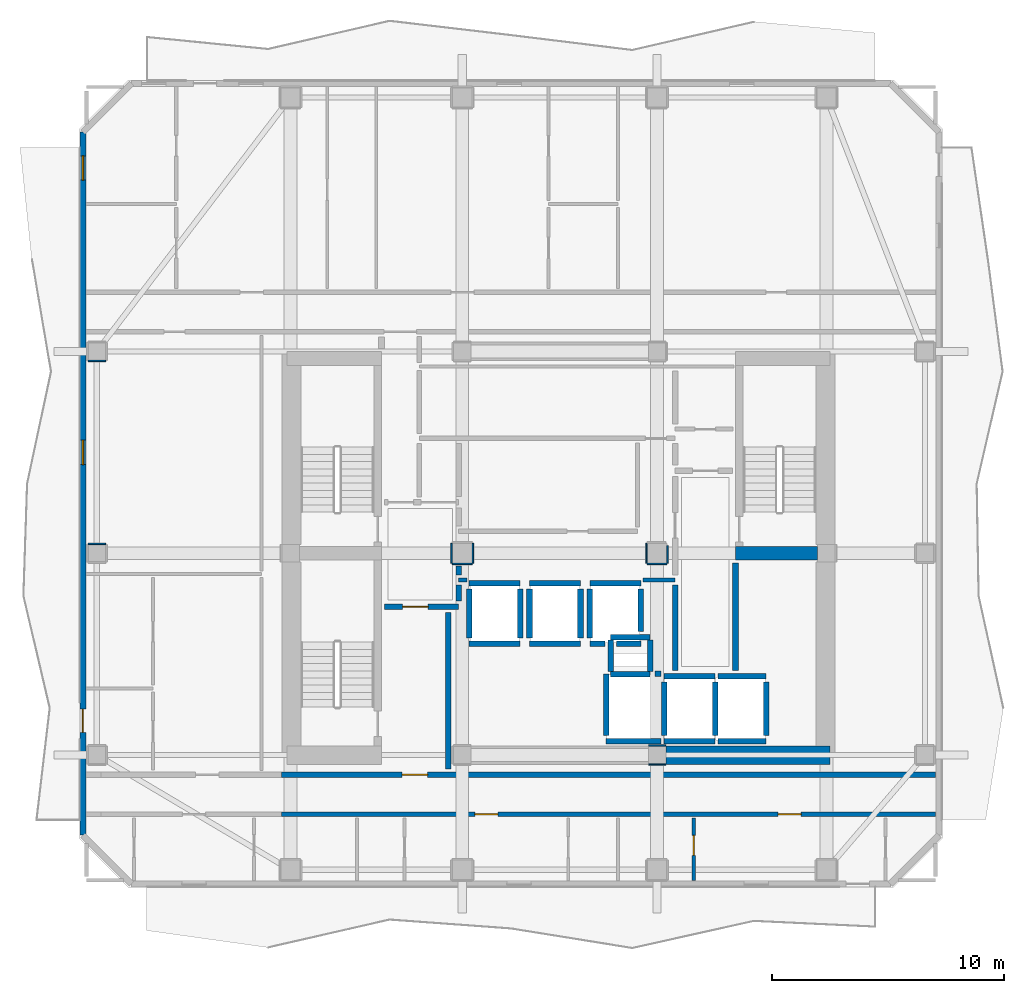
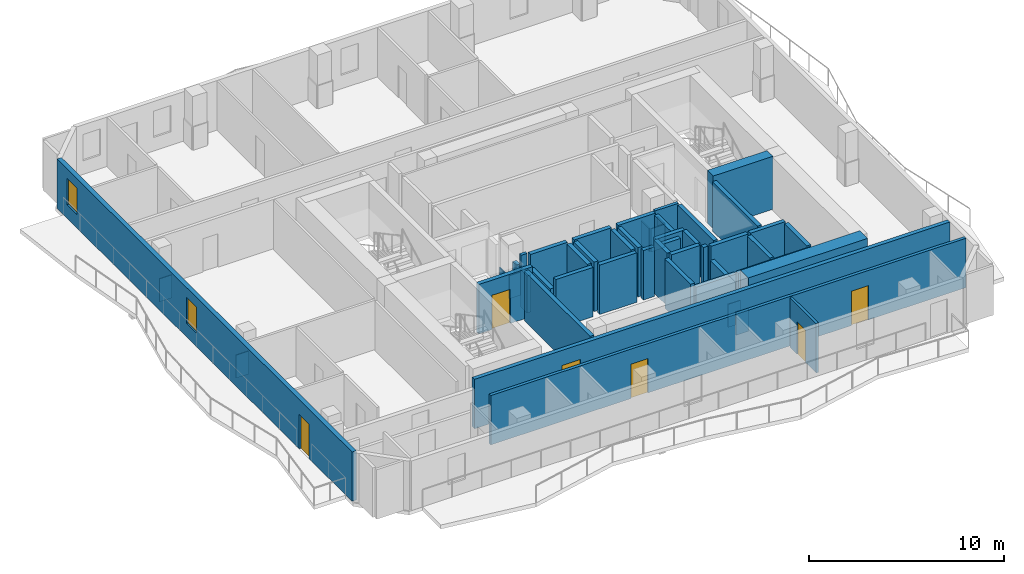
# One storey, part 3 of 10: 51 walls, 6 doors, 2 windows, 8 openings.
"""IFC4 building model written with IfcOpenShell, lengths in metres."""

from ifc_helpers import new_model, si_unit, direction, frame, frame_2d, origin, place, context, subcontext, project, spatial, rectangle, extrude, material, layer, layer_set, type_object, element, fill, save


model = new_model("IFC4")

# Units and contexts
model_context = context("Model", 3, precision=1e-05, world=origin(), true_north=direction((0.0, 1.0)))
body_context = subcontext(model_context, "Body", "Model", "MODEL_VIEW")
ifc_project = project(units=[si_unit("LENGTHUNIT", "METRE"), si_unit("AREAUNIT", "SQUARE_METRE"), si_unit("VOLUMEUNIT", "CUBIC_METRE"), si_unit("PLANEANGLEUNIT", "RADIAN"), si_unit("MASSUNIT", "GRAM", prefix="KILO")], contexts=[model_context])

# Site, building, storey
site_placement = place(None, origin())
site = spatial("IfcSite", under=ifc_project, at=site_placement, CompositionType="ELEMENT")
building_placement = place(site_placement, origin())
building = spatial("IfcBuilding", under=site, at=building_placement, Name="Solanera Arch Residences", CompositionType="ELEMENT")
storey_placement = place(building_placement, frame((0.0, 0.0, 265.56005859375)))
storey = spatial("IfcBuildingStorey", under=building, at=storey_placement, Name="L77", CompositionType="ELEMENT", Elevation=265.56005859375)

# Walls
ifc_material_1 = material(Name="Fire-Rated Gypsum Stud Partition", Category="gypsum")
ifc_layer_1 = layer(ifc_material_1, 0.06005859375)
ifc_layer_set_1 = layer_set([ifc_layer_1], Name="Fire-Rated Gypsum Stud Partition")
wall_type_1 = type_object("IfcWallType", Name="Column Acoustic Furring Wall 60", PredefinedType="PARTITIONING", material=ifc_layer_set_1)
for number, where, z_axis, x_axis, name in (
    (1, (28.8330078125, 21.593017578125, 0.0), (0.0, 0.0, 1.0), (1.0, 0.0, 0.0), "L77 Column Furring 2S"),
    (2, (28.8330078125, 22.406982421875, 0.0), (0.0, 0.0, 1.0), (1.0, 0.0, 0.0), "L77 Column Furring 2N"),
):
    element("IfcWall", number, at=place(storey_placement, frame(where, z_axis=z_axis, x_axis=x_axis)), inside=storey, type_object=wall_type_1, Name=name, PredefinedType="PARTITIONING", context=body_context, shape_type="SweptSolid", body=[
        extrude(rectangle(XDim=0.73388671875, YDim=0.06005859375, at=frame_2d((0.366943359375, 0.0))), origin(), (0.0, 0.0, 1.0), 1.449951171875),
    ])
for number, where, z_axis, x_axis, name in (
    (3, (20.375, 30.242919921875, 0.0), (0.0, 0.0, 1.0), (1.0, 0.0, 0.0), "L77 Column Furring 7S"),
    (4, (20.343017578125, 30.27490234375, 0.0), (0.0, 0.0, 1.0), (0.0, 1.0, 0.0), "L77 Column Furring 7W"),
    (5, (21.257080078125, 30.27490234375, 0.0), (0.0, 0.0, 1.0), (0.0, 1.0, 0.0), "L77 Column Furring 7E"),
    (6, (28.77490234375, 30.242919921875, 0.0), (0.0, 0.0, 1.0), (1.0, 0.0, 0.0), "L77 Column Furring 8S"),
    (7, (28.742919921875, 30.27490234375, 0.0), (0.0, 0.0, 1.0), (0.0, 1.0, 0.0), "L77 Column Furring 8W"),
):
    element("IfcWall", number, at=place(storey_placement, frame(where, z_axis=z_axis, x_axis=x_axis)), inside=storey, type_object=wall_type_1, Name=name, PredefinedType="PARTITIONING", context=body_context, shape_type="SweptSolid", body=[
        extrude(rectangle(XDim=0.85009765625, YDim=0.06005859375, at=frame_2d((0.425048828125, 0.0))), origin(), (0.0, 0.0, 1.0), 1.449951171875),
    ])
wall_1_placement = place(storey_placement, frame((29.656982421875, 30.27490234375, 0.0), z_axis=(0.0, 0.0, 1.0), x_axis=(0.0, 1.0, 0.0)))
element("IfcWall", 8, at=wall_1_placement, inside=storey, type_object=wall_type_1, Name="L77 Column Furring 8E", PredefinedType="PARTITIONING", context=body_context, shape_type="SweptSolid", body=[
    extrude(rectangle(XDim=0.757080078125, YDim=0.06005859375, at=frame_2d((0.37841796875, 0.0))), origin(), (0.0, 0.0, 1.0), 1.449951171875),
])
for number, where, z_axis, x_axis, name in (
    (9, (4.675048828125, 31.10693359375, 0.0), (0.0, 0.0, 1.0), (1.0, 0.0, 0.0), "L77 Column Furring 19N"),
    (10, (4.675048828125, 38.992919921875, 0.0), (0.0, 0.0, 1.0), (1.0, 0.0, 0.0), "L77 Column Furring 21S"),
):
    element("IfcWall", number, at=place(storey_placement, frame(where, z_axis=z_axis, x_axis=x_axis)), inside=storey, type_object=wall_type_1, Name=name, PredefinedType="PARTITIONING", context=body_context, shape_type="SweptSolid", body=[
        extrude(rectangle(XDim=0.75, YDim=0.06005859375, at=frame_2d((0.375, 0.0))), origin(), (0.0, 0.0, 1.0), 1.449951171875),
    ])
ifc_material_2 = material(Name="Concrete C40/50 (f'c = 45 MPa)", Category="concrete")
ifc_layer_2 = layer(ifc_material_2, 0.60009765625)
ifc_layer_set_2 = layer_set([ifc_layer_2], Name="Concrete C40/50 (f'c = 45 MPa)")
wall_type_2 = type_object("IfcWallType", Name="Core Shear Wall CW-600", PredefinedType="SHEAR", material=ifc_layer_set_2)
wall_2_placement = place(storey_placement, frame((32.580078125, 30.699951171875, 0.0), z_axis=(0.0, 0.0, 1.0), x_axis=(1.0, 0.0, 0.0)))
element("IfcWall", 11, at=wall_2_placement, inside=storey, type_object=wall_type_2, Name="L77 East Stair Far-Landing Shear Wall", PredefinedType="SHEAR", context=body_context, shape_type="SweptSolid", body=[
    extrude(rectangle(XDim=3.5400390625, YDim=0.60009765625, at=frame_2d((1.77001953125, 0.0))), origin(), (0.0, 0.0, 1.0), 3.31982421875),
])
ifc_material_3 = material(Name="Concrete C40/50 (f'c = 45 MPa)", Category="concrete")
ifc_layer_3 = layer(ifc_material_3, 0.800048828125)
ifc_layer_set_3 = layer_set([ifc_layer_3], Name="Concrete C40/50 (f'c = 45 MPa)")
wall_type_3 = type_object("IfcWallType", Name="Core Shear Wall CW-800", PredefinedType="SHEAR", material=ifc_layer_set_3)
wall_3_placement = place(storey_placement, frame((29.580078125, 22.0, 0.0), z_axis=(0.0, 0.0, 1.0), x_axis=(1.0, 0.0, 0.0)))
element("IfcWall", 12, at=wall_3_placement, inside=storey, type_object=wall_type_3, Name="L77 South-East Core Shear Wall", PredefinedType="SHEAR", context=body_context, shape_type="SweptSolid", body=[
    extrude(rectangle(XDim=7.079833984375, YDim=0.800048828125, at=frame_2d((3.5400390625, 0.0))), origin(), (0.0, 0.0, 1.0), 3.31982421875),
])

# Wall, openings, doors
ifc_material_4 = material(Name="Autoclaved Aerated Concrete Blockwork", Category="masonry")
ifc_layer_4 = layer(ifc_material_4, 0.179931640625)
ifc_layer_set_4 = layer_set([ifc_layer_4], Name="Autoclaved Aerated Concrete Blockwork")
wall_type_4 = type_object("IfcWallType", Name="Corridor Fire Partition 180", PredefinedType="PARTITIONING", material=ifc_layer_set_4)
wall_4_placement = place(storey_placement, frame((13.011962890625, 19.449951171875, 0.0), z_axis=(0.0, 0.0, 1.0), x_axis=(1.0, 0.0, 0.0)))
wall_4 = element("IfcWall", 13, at=wall_4_placement, inside=storey, type_object=wall_type_4, Name="L77 Interior Partition H7 3", PredefinedType="PARTITIONING", context=body_context, shape_type="SweptSolid", body=[
    extrude(rectangle(XDim=28.200927734375, YDim=0.179931640625, at=frame_2d((14.1005859375, 0.0))), origin(), (0.0, 0.0, 1.0), 3.099853515625),
])
opening_1_placement = place(wall_4_placement, frame((8.3291015625, 0.0, 0.0)))
opening_1 = element("IfcOpeningElement", 14, at=opening_1_placement, cuts=wall_4, Name="Opening DI-01", PredefinedType="OPENING", context=body_context, shape_type="SweptSolid", body=[
    extrude(rectangle(XDim=1.0, YDim=2.14990234375, at=frame_2d((0.5, 1.074951171875))), frame((0.0, 0.10009765625, 0.0), z_axis=(0.0, -1.0, 0.0), x_axis=(1.0, 0.0, 0.0)), (0.0, 0.0, 1.0), 0.1999),
])
opening_2_placement = place(wall_4_placement, frame((21.403076171875, 0.0, 0.0)))
opening_2 = element("IfcOpeningElement", 15, at=opening_2_placement, cuts=wall_4, Name="Opening DI-01", PredefinedType="OPENING", context=body_context, shape_type="SweptSolid", body=[
    extrude(rectangle(XDim=1.0, YDim=2.14990234375, at=frame_2d((0.5, 1.074951171875))), frame((0.0, 0.10009765625, 0.0), z_axis=(0.0, -1.0, 0.0), x_axis=(1.0, 0.0, 0.0)), (0.0, 0.0, 1.0), 0.1999),
])
ifc_material_5 = material(Name="Fire-Rated Architectural Hardwood", Category="wood")
door_type_1 = type_object("IfcDoorType", Name="Unit Entrance Fire Door DI-01", OperationType="NOTDEFINED", PredefinedType="DOOR", material=ifc_material_5)
door_1_placement = place(opening_1_placement, origin())
door_1 = element("IfcDoor", 16, at=door_1_placement, inside=storey, type_object=door_type_1, Name="DR-L77-IN-017", OperationType="SINGLE_SWING_LEFT", OverallHeight=2.14990234375, OverallWidth=1.0, PredefinedType="DOOR", context=body_context, shape_type="SweptSolid", body=[
    extrude(rectangle(XDim=1.0, YDim=2.14990234375, at=frame_2d((0.5, 1.074951171875))), frame((0.0, 0.02490234375, 0.0), z_axis=(0.0, -1.0, 0.0), x_axis=(1.0, 0.0, 0.0)), (0.0, 0.0, 1.0), 0.050048828125),
])
fill(opening_1, door_1)
door_2_placement = place(opening_2_placement, origin())
door_2 = element("IfcDoor", 17, at=door_2_placement, inside=storey, type_object=door_type_1, Name="DR-L77-IN-020", OperationType="SINGLE_SWING_RIGHT", OverallHeight=2.14990234375, OverallWidth=1.0, PredefinedType="DOOR", context=body_context, shape_type="SweptSolid", body=[
    extrude(rectangle(XDim=1.0, YDim=2.14990234375, at=frame_2d((0.5, 1.074951171875))), frame((0.0, 0.02490234375, 0.0), z_axis=(0.0, -1.0, 0.0), x_axis=(1.0, 0.0, 0.0)), (0.0, 0.0, 1.0), 0.050048828125),
])
fill(opening_2, door_2)

# Walls
wall_5_placement = place(storey_placement, frame((20.64990234375, 29.550048828125, 0.0), z_axis=(0.0, 0.0, 1.0), x_axis=(1.0, 0.0, 0.0)))
element("IfcWall", 18, at=wall_5_placement, inside=storey, type_object=wall_type_4, Name="L77 Interior Partition H8 1", PredefinedType="PARTITIONING", context=body_context, shape_type="SweptSolid", body=[
    extrude(rectangle(XDim=0.357177734375, YDim=0.179931640625, at=frame_2d((0.1787109375, 0.0))), origin(), (0.0, 0.0, 1.0), 3.099853515625),
])
wall_6_placement = place(storey_placement, frame((28.593017578125, 29.550048828125, 0.0), z_axis=(0.0, 0.0, 1.0), x_axis=(1.0, 0.0, 0.0)))
element("IfcWall", 19, at=wall_6_placement, inside=storey, type_object=wall_type_4, Name="L77 Interior Partition H8 2", PredefinedType="PARTITIONING", context=body_context, shape_type="SweptSolid", body=[
    extrude(rectangle(XDim=1.382080078125, YDim=0.179931640625, at=frame_2d((0.69091796875, 0.0))), origin(), (0.0, 0.0, 1.0), 3.099853515625),
])

# Wall, openings, door, windows
ifc_material_6 = material(Name="Precast Concrete C35/45", Category="concrete")
ifc_layer_5 = layer(ifc_material_6, 0.260009765625)
ifc_layer_set_5 = layer_set([ifc_layer_5], Name="Precast Concrete C35/45")
wall_type_5 = type_object("IfcWallType", Name="Exterior Wall Precast Masonry-Frame 260", PredefinedType="STANDARD", material=ifc_layer_set_5)
wall_7_placement = place(storey_placement, frame((4.445068359375, 18.544921875, 0.0), z_axis=(0.0, 0.0, 1.0), x_axis=(0.0, 1.0, 0.0)))
wall_7 = element("IfcWall", 20, at=wall_7_placement, inside=storey, type_object=wall_type_5, Name="L77 Tower Exterior Precast Masonry-Frame Wall W", PredefinedType="STANDARD", context=body_context, shape_type="SweptSolid", body=[
    extrude(rectangle(XDim=30.31005859375, YDim=0.260009765625, at=frame_2d((15.155029296875, 0.0))), origin(), (0.0, 0.0, 1.0), 3.099853515625),
])
opening_3_placement = place(wall_7_placement, frame((4.43408203125, 0.0, 0.0)))
opening_3 = element("IfcOpeningElement", 21, at=opening_3_placement, cuts=wall_7, Name="Opening DB-01", PredefinedType="OPENING", context=body_context, shape_type="SweptSolid", body=[
    extrude(rectangle(XDim=1.0, YDim=2.14990234375, at=frame_2d((0.5, 1.074951171875))), frame((0.0, 0.139892578125, 0.0), z_axis=(0.0, -1.0, 0.0), x_axis=(1.0, 0.0, 0.0)), (0.0, 0.0, 1.0), 0.28),
])
opening_4_placement = place(wall_7_placement, frame((28.240966796875, 0.0, 0.85009765625)))
opening_4 = element("IfcOpeningElement", 22, at=opening_4_placement, cuts=wall_7, Name="Opening W-07", PredefinedType="OPENING", context=body_context, shape_type="SweptSolid", body=[
    extrude(rectangle(XDim=1.050048828125, YDim=1.64990234375, at=frame_2d((0.52490234375, 0.824951171875))), frame((0.0, 0.139892578125, 0.0), z_axis=(0.0, -1.0, 0.0), x_axis=(1.0, 0.0, 0.0)), (0.0, 0.0, 1.0), 0.28),
])
opening_5_placement = place(wall_7_placement, frame((15.97998046875, 0.0, 0.85009765625)))
opening_5 = element("IfcOpeningElement", 23, at=opening_5_placement, cuts=wall_7, Name="Opening W-07", PredefinedType="OPENING", context=body_context, shape_type="SweptSolid", body=[
    extrude(rectangle(XDim=1.050048828125, YDim=1.64990234375, at=frame_2d((0.52490234375, 0.824951171875))), frame((0.0, 0.139892578125, 0.0), z_axis=(0.0, -1.0, 0.0), x_axis=(1.0, 0.0, 0.0)), (0.0, 0.0, 1.0), 0.28),
])
ifc_material_7 = material(Name="Anodised Aluminium Alloy 6063-T6", Category="aluminium")
door_type_2 = type_object("IfcDoorType", Name="Glazed Balcony Swing Door DB-01", OperationType="NOTDEFINED", PredefinedType="DOOR", material=ifc_material_7)
door_3_placement = place(opening_3_placement, origin())
door_3 = element("IfcDoor", 24, at=door_3_placement, inside=storey, type_object=door_type_2, Name="DR-L77-OUT-04", OperationType="SINGLE_SWING_RIGHT", OverallHeight=2.14990234375, OverallWidth=1.0, PredefinedType="DOOR", context=body_context, shape_type="SweptSolid", body=[
    extrude(rectangle(XDim=1.0, YDim=2.14990234375, at=frame_2d((0.5, 1.074951171875))), frame((0.0, 0.02490234375, 0.0), z_axis=(0.0, -1.0, 0.0), x_axis=(1.0, 0.0, 0.0)), (0.0, 0.0, 1.0), 0.050048828125),
])
fill(opening_3, door_3)
ifc_material_8 = material(Name="Double Glazed Low-E Laminated Glass", Category="glass")
window_type = type_object("IfcWindowType", Name="Punched Window W-07", PartitioningType="SINGLE_PANEL", PredefinedType="WINDOW", material=ifc_material_8)
window_1_placement = place(opening_4_placement, origin())
window_1 = element("IfcWindow", 25, at=window_1_placement, inside=storey, type_object=window_type, Name="L77 7704-BR1 Punched Window", OverallHeight=1.64990234375, OverallWidth=1.050048828125, PartitioningType="SINGLE_PANEL", PredefinedType="WINDOW", context=body_context, shape_type="SweptSolid", body=[
    extrude(rectangle(XDim=1.050048828125, YDim=1.64990234375, at=frame_2d((0.52490234375, 0.824951171875))), frame((0.0, 0.030029296875, 0.0), z_axis=(0.0, -1.0, 0.0), x_axis=(1.0, 0.0, 0.0)), (0.0, 0.0, 1.0), 0.06005859375),
])
fill(opening_4, window_1)
window_2_placement = place(opening_5_placement, origin())
window_2 = element("IfcWindow", 26, at=window_2_placement, inside=storey, type_object=window_type, Name="L77 AMN-STDW Punched Window", OverallHeight=1.64990234375, OverallWidth=1.050048828125, PartitioningType="SINGLE_PANEL", PredefinedType="WINDOW", context=body_context, shape_type="SweptSolid", body=[
    extrude(rectangle(XDim=1.050048828125, YDim=1.64990234375, at=frame_2d((0.52490234375, 0.824951171875))), frame((0.0, 0.030029296875, 0.0), z_axis=(0.0, -1.0, 0.0), x_axis=(1.0, 0.0, 0.0)), (0.0, 0.0, 1.0), 0.06005859375),
])
fill(opening_5, window_2)

# Walls
ifc_material_9 = material(Name="Concrete C40/50 (f'c = 45 MPa)", Category="concrete")
ifc_layer_6 = layer(ifc_material_9, 0.239990234375)
ifc_layer_set_6 = layer_set([ifc_layer_6], Name="Concrete C40/50 (f'c = 45 MPa)")
wall_type_6 = type_object("IfcWallType", Name="Ramp Bearing Shear Wall RW-240", PredefinedType="SHEAR", material=ifc_layer_set_6)
for number, where, z_axis, x_axis, name in (
    (27, (27.199951171875, 25.47998046875, 0.0), (0.0, 0.0, 1.0), (1.0, 0.0, 0.0), "L77 Core MEP Riser South Shaft Wall"),
    (28, (27.199951171875, 27.080078125, 0.0), (0.0, 0.0, 1.0), (1.0, 0.0, 0.0), "L77 Core MEP Riser North Shaft Wall"),
):
    element("IfcWall", number, at=place(storey_placement, frame(where, z_axis=z_axis, x_axis=x_axis)), inside=storey, type_object=wall_type_6, Name=name, PredefinedType="SHEAR", context=body_context, shape_type="SweptSolid", body=[
        extrude(rectangle(XDim=1.699951171875, YDim=0.239990234375, at=frame_2d((0.85009765625, 0.0))), origin(), (0.0, 0.0, 1.0), 3.31982421875),
    ])
for number, where, z_axis, x_axis, name in (
    (29, (27.199951171875, 25.60009765625, 0.0), (0.0, 0.0, 1.0), (0.0, 1.0, 0.0), "L77 Core MEP Riser West Shaft Wall"),
    (30, (28.89990234375, 25.60009765625, 0.0), (0.0, 0.0, 1.0), (0.0, 1.0, 0.0), "L77 Core MEP Riser East Shaft Wall"),
):
    element("IfcWall", number, at=place(storey_placement, frame(where, z_axis=z_axis, x_axis=x_axis)), inside=storey, type_object=wall_type_6, Name=name, PredefinedType="SHEAR", context=body_context, shape_type="SweptSolid", body=[
        extrude(rectangle(XDim=1.35986328125, YDim=0.239990234375, at=frame_2d((0.679931640625, 0.0))), origin(), (0.0, 0.0, 1.0), 3.31982421875),
    ])
ifc_material_10 = material(Name="Autoclaved Aerated Concrete Blockwork", Category="masonry")
ifc_layer_7 = layer(ifc_material_10, 0.239990234375)
ifc_layer_set_7 = layer_set([ifc_layer_7], Name="Autoclaved Aerated Concrete Blockwork")
wall_type_7 = type_object("IfcWallType", Name="Shaft Wall Fire-Rated 240", PredefinedType="PARTITIONING", material=ifc_layer_set_7)
for number, where, z_axis, x_axis, name in (
    (31, (21.10009765625, 26.800048828125, 0.0), (0.0, 0.0, 1.0), (1.0, 0.0, 0.0), "L77 Lift PL-H1 Hoistway Wall S"),
    (32, (21.10009765625, 29.39990234375, 0.0), (0.0, 0.0, 1.0), (1.0, 0.0, 0.0), "L77 Lift PL-H1 Hoistway Wall N"),
):
    element("IfcWall", number, at=place(storey_placement, frame(where, z_axis=z_axis, x_axis=x_axis)), inside=storey, type_object=wall_type_7, Name=name, PredefinedType="PARTITIONING", context=body_context, shape_type="SweptSolid", body=[
        extrude(rectangle(XDim=2.199951171875, YDim=0.239990234375, at=frame_2d((1.10009765625, 0.0))), origin(), (0.0, 0.0, 1.0), 3.099853515625),
    ])
wall_8_placement = place(storey_placement, frame((21.10009765625, 27.048095703125, 0.0), z_axis=(0.0, 0.0, 1.0), x_axis=(0.0, 1.0, 0.0)))
element("IfcWall", 33, at=wall_8_placement, inside=storey, type_object=wall_type_7, Name="L77 Lift PL-H1 Hoistway Wall W", PredefinedType="PARTITIONING", context=body_context, shape_type="SweptSolid", body=[
    extrude(rectangle(XDim=2.10400390625, YDim=0.239990234375, at=frame_2d((1.052001953125, 0.0))), origin(), (0.0, 0.0, 1.0), 2.3349609375),
])
wall_9_placement = place(storey_placement, frame((23.300048828125, 27.048095703125, 0.0), z_axis=(0.0, 0.0, 1.0), x_axis=(0.0, 1.0, 0.0)))
element("IfcWall", 34, at=wall_9_placement, inside=storey, type_object=wall_type_7, Name="L77 Lift PL-H1 Hoistway Wall E", PredefinedType="PARTITIONING", context=body_context, shape_type="SweptSolid", body=[
    extrude(rectangle(XDim=2.10400390625, YDim=0.239990234375, at=frame_2d((1.052001953125, 0.0))), origin(), (0.0, 0.0, 1.0), 3.099853515625),
])
for number, where, z_axis, x_axis, name in (
    (35, (23.699951171875, 26.800048828125, 0.0), (0.0, 0.0, 1.0), (1.0, 0.0, 0.0), "L77 Lift PL-H2 Hoistway Wall S"),
    (36, (23.699951171875, 29.39990234375, 0.0), (0.0, 0.0, 1.0), (1.0, 0.0, 0.0), "L77 Lift PL-H2 Hoistway Wall N"),
):
    element("IfcWall", number, at=place(storey_placement, frame(where, z_axis=z_axis, x_axis=x_axis)), inside=storey, type_object=wall_type_7, Name=name, PredefinedType="PARTITIONING", context=body_context, shape_type="SweptSolid", body=[
        extrude(rectangle(XDim=2.199951171875, YDim=0.239990234375, at=frame_2d((1.10009765625, 0.0))), origin(), (0.0, 0.0, 1.0), 3.099853515625),
    ])
for number, where, z_axis, x_axis, name in (
    (37, (23.699951171875, 27.048095703125, 0.0), (0.0, 0.0, 1.0), (0.0, 1.0, 0.0), "L77 Lift PL-H2 Hoistway Wall W"),
    (38, (25.89990234375, 27.048095703125, 0.0), (0.0, 0.0, 1.0), (0.0, 1.0, 0.0), "L77 Lift PL-H2 Hoistway Wall E"),
):
    element("IfcWall", number, at=place(storey_placement, frame(where, z_axis=z_axis, x_axis=x_axis)), inside=storey, type_object=wall_type_7, Name=name, PredefinedType="PARTITIONING", context=body_context, shape_type="SweptSolid", body=[
        extrude(rectangle(XDim=2.10400390625, YDim=0.239990234375, at=frame_2d((1.052001953125, 0.0))), origin(), (0.0, 0.0, 1.0), 3.099853515625),
    ])
wall_10_placement = place(storey_placement, frame((26.300048828125, 26.800048828125, 0.0), z_axis=(0.0, 0.0, 1.0), x_axis=(1.0, 0.0, 0.0)))
element("IfcWall", 39, at=wall_10_placement, inside=storey, type_object=wall_type_7, Name="L77 Lift PL-H3 Hoistway Wall S 1", PredefinedType="PARTITIONING", context=body_context, shape_type="SweptSolid", body=[
    extrude(rectangle(XDim=0.64990234375, YDim=0.239990234375, at=frame_2d((0.324951171875, 0.0))), origin(), (0.0, 0.0, 1.0), 3.099853515625),
])
wall_11_placement = place(storey_placement, frame((27.449951171875, 26.800048828125, 0.0), z_axis=(0.0, 0.0, 1.0), x_axis=(1.0, 0.0, 0.0)))
element("IfcWall", 40, at=wall_11_placement, inside=storey, type_object=wall_type_7, Name="L77 Lift PL-H3 Hoistway Wall S 2", PredefinedType="PARTITIONING", context=body_context, shape_type="SweptSolid", body=[
    extrude(rectangle(XDim=1.050048828125, YDim=0.239990234375, at=frame_2d((0.52490234375, 0.0))), origin(), (0.0, 0.0, 1.0), 3.099853515625),
])
wall_12_placement = place(storey_placement, frame((26.300048828125, 29.39990234375, 0.0), z_axis=(0.0, 0.0, 1.0), x_axis=(1.0, 0.0, 0.0)))
element("IfcWall", 41, at=wall_12_placement, inside=storey, type_object=wall_type_7, Name="L77 Lift PL-H3 Hoistway Wall N", PredefinedType="PARTITIONING", context=body_context, shape_type="SweptSolid", body=[
    extrude(rectangle(XDim=2.199951171875, YDim=0.239990234375, at=frame_2d((1.10009765625, 0.0))), origin(), (0.0, 0.0, 1.0), 3.099853515625),
])
wall_13_placement = place(storey_placement, frame((26.300048828125, 27.048095703125, 0.0), z_axis=(0.0, 0.0, 1.0), x_axis=(0.0, 1.0, 0.0)))
element("IfcWall", 42, at=wall_13_placement, inside=storey, type_object=wall_type_7, Name="L77 Lift PL-H3 Hoistway Wall W", PredefinedType="PARTITIONING", context=body_context, shape_type="SweptSolid", body=[
    extrude(rectangle(XDim=2.10400390625, YDim=0.239990234375, at=frame_2d((1.052001953125, 0.0))), origin(), (0.0, 0.0, 1.0), 3.099853515625),
])
wall_14_placement = place(storey_placement, frame((28.5, 27.330078125, 0.0), z_axis=(0.0, 0.0, 1.0), x_axis=(0.0, 1.0, 0.0)))
element("IfcWall", 43, at=wall_14_placement, inside=storey, type_object=wall_type_7, Name="L77 Lift PL-H3 Hoistway Wall E", PredefinedType="PARTITIONING", context=body_context, shape_type="SweptSolid", body=[
    extrude(rectangle(XDim=1.822021484375, YDim=0.239990234375, at=frame_2d((0.9111328125, 0.0))), origin(), (0.0, 0.0, 1.0), 3.099853515625),
])
for number, where, z_axis, x_axis, name in (
    (44, (29.5, 22.60009765625, 0.0), (0.0, 0.0, 1.0), (1.0, 0.0, 0.0), "L77 Lift FFL-1 Hoistway Wall S"),
    (45, (29.5, 25.39990234375, 0.0), (0.0, 0.0, 1.0), (1.0, 0.0, 0.0), "L77 Lift FFL-1 Hoistway Wall N"),
):
    element("IfcWall", number, at=place(storey_placement, frame(where, z_axis=z_axis, x_axis=x_axis)), inside=storey, type_object=wall_type_7, Name=name, PredefinedType="PARTITIONING", context=body_context, shape_type="SweptSolid", body=[
        extrude(rectangle(XDim=2.199951171875, YDim=0.239990234375, at=frame_2d((1.10009765625, 0.0))), origin(), (0.0, 0.0, 1.0), 3.099853515625),
    ])
wall_15_placement = place(storey_placement, frame((29.5, 22.847900390625, 0.0), z_axis=(0.0, 0.0, 1.0), x_axis=(0.0, 1.0, 0.0)))
element("IfcWall", 46, at=wall_15_placement, inside=storey, type_object=wall_type_7, Name="L77 Lift FFL-1 Hoistway Wall W", PredefinedType="PARTITIONING", context=body_context, shape_type="SweptSolid", body=[
    extrude(rectangle(XDim=2.30419921875, YDim=0.239990234375, at=frame_2d((1.152099609375, 0.0))), origin(), (0.0, 0.0, 1.0), 2.3349609375),
])
wall_16_placement = place(storey_placement, frame((31.699951171875, 22.847900390625, 0.0), z_axis=(0.0, 0.0, 1.0), x_axis=(0.0, 1.0, 0.0)))
element("IfcWall", 47, at=wall_16_placement, inside=storey, type_object=wall_type_7, Name="L77 Lift FFL-1 Hoistway Wall E", PredefinedType="PARTITIONING", context=body_context, shape_type="SweptSolid", body=[
    extrude(rectangle(XDim=2.30419921875, YDim=0.239990234375, at=frame_2d((1.152099609375, 0.0))), origin(), (0.0, 0.0, 1.0), 3.099853515625),
])
for number, where, z_axis, x_axis, name in (
    (48, (31.827880859375, 22.60009765625, 0.0), (0.0, 0.0, 1.0), (1.0, 0.0, 0.0), "L77 Lift FFL-2 Hoistway Wall S"),
    (49, (31.827880859375, 25.39990234375, 0.0), (0.0, 0.0, 1.0), (1.0, 0.0, 0.0), "L77 Lift FFL-2 Hoistway Wall N"),
):
    element("IfcWall", number, at=place(storey_placement, frame(where, z_axis=z_axis, x_axis=x_axis)), inside=storey, type_object=wall_type_7, Name=name, PredefinedType="PARTITIONING", context=body_context, shape_type="SweptSolid", body=[
        extrude(rectangle(XDim=2.072021484375, YDim=0.239990234375, at=frame_2d((1.0361328125, 0.0))), origin(), (0.0, 0.0, 1.0), 3.099853515625),
    ])
wall_17_placement = place(storey_placement, frame((33.89990234375, 22.847900390625, 0.0), z_axis=(0.0, 0.0, 1.0), x_axis=(0.0, 1.0, 0.0)))
element("IfcWall", 50, at=wall_17_placement, inside=storey, type_object=wall_type_7, Name="L77 Lift FFL-2 Hoistway Wall E", PredefinedType="PARTITIONING", context=body_context, shape_type="SweptSolid", body=[
    extrude(rectangle(XDim=2.30419921875, YDim=0.239990234375, at=frame_2d((1.152099609375, 0.0))), origin(), (0.0, 0.0, 1.0), 3.099853515625),
])
wall_18_placement = place(storey_placement, frame((27.0, 22.60009765625, 0.0), z_axis=(0.0, 0.0, 1.0), x_axis=(1.0, 0.0, 0.0)))
element("IfcWall", 51, at=wall_18_placement, inside=storey, type_object=wall_type_7, Name="L77 Lift SVL-1 Hoistway Wall S", PredefinedType="PARTITIONING", context=body_context, shape_type="SweptSolid", body=[
    extrude(rectangle(XDim=2.3720703125, YDim=0.239990234375, at=frame_2d((1.18603515625, 0.0))), origin(), (0.0, 0.0, 1.0), 3.099853515625),
])
wall_19_placement = place(storey_placement, frame((29.10302734375, 25.5, 0.0), z_axis=(0.0, 0.0, 1.0), x_axis=(1.0, 0.0, 0.0)))
element("IfcWall", 52, at=wall_19_placement, inside=storey, type_object=wall_type_7, Name="L77 Lift SVL-1 Hoistway Wall N", PredefinedType="PARTITIONING", context=body_context, shape_type="SweptSolid", body=[
    extrude(rectangle(XDim=0.26904296875, YDim=0.239990234375, at=frame_2d((0.134521484375, 0.0))), origin(), (0.0, 0.0, 1.0), 3.099853515625),
])
wall_20_placement = place(storey_placement, frame((27.0, 22.847900390625, 0.0), z_axis=(0.0, 0.0, 1.0), x_axis=(0.0, 1.0, 0.0)))
element("IfcWall", 53, at=wall_20_placement, inside=storey, type_object=wall_type_7, Name="L77 Lift SVL-1 Hoistway Wall W", PredefinedType="PARTITIONING", context=body_context, shape_type="SweptSolid", body=[
    extrude(rectangle(XDim=2.650146484375, YDim=0.239990234375, at=frame_2d((1.3251953125, 0.0))), origin(), (0.0, 0.0, 1.0), 3.099853515625),
])

# Wall, opening, door
wall_21_placement = place(storey_placement, frame((13.011962890625, 21.14990234375, 0.0), z_axis=(0.0, 0.0, 1.0), x_axis=(1.0, 0.0, 0.0)))
wall_21 = element("IfcWall", 54, at=wall_21_placement, inside=storey, type_object=wall_type_7, Name="L77 Interior Partition H1 3", PredefinedType="PARTITIONING", context=body_context, shape_type="SweptSolid", body=[
    extrude(rectangle(XDim=28.200927734375, YDim=0.239990234375, at=frame_2d((14.1005859375, 0.0))), origin(), (0.0, 0.0, 1.0), 3.099853515625),
])
opening_6_placement = place(wall_21_placement, frame((5.197998046875, 0.0, 0.0)))
opening_6 = element("IfcOpeningElement", 55, at=opening_6_placement, cuts=wall_21, Name="Opening DF-02", PredefinedType="OPENING", context=body_context, shape_type="SweptSolid", body=[
    extrude(rectangle(XDim=1.10009765625, YDim=2.14990234375, at=frame_2d((0.550048828125, 1.074951171875))), frame((0.0, 0.1298828125, 0.0), z_axis=(0.0, -1.0, 0.0), x_axis=(1.0, 0.0, 0.0)), (0.0, 0.0, 1.0), 0.26),
])
ifc_material_11 = material(Name="Fire-Rated Architectural Hardwood", Category="wood")
door_type_3 = type_object("IfcDoorType", Name="Firefighting Lobby Fire Door DF-02", OperationType="NOTDEFINED", PredefinedType="DOOR", material=ifc_material_11)
door_4_placement = place(opening_6_placement, origin())
door_4 = element("IfcDoor", 56, at=door_4_placement, inside=storey, type_object=door_type_3, Name="DR-L77-IN-008", OperationType="SINGLE_SWING_RIGHT", OverallHeight=2.14990234375, OverallWidth=1.10009765625, PredefinedType="DOOR", context=body_context, shape_type="SweptSolid", body=[
    extrude(rectangle(XDim=1.10009765625, YDim=2.14990234375, at=frame_2d((0.550048828125, 1.074951171875))), frame((0.0, 0.02490234375, 0.0), z_axis=(0.0, -1.0, 0.0), x_axis=(1.0, 0.0, 0.0)), (0.0, 0.0, 1.0), 0.050048828125),
])
fill(opening_6, door_4)

wall_22_placement = place(storey_placement, frame((17.449951171875, 28.39990234375, 0.0), z_axis=(0.0, 0.0, 1.0), x_axis=(1.0, 0.0, 0.0)))
wall_22 = element("IfcWall", 57, at=wall_22_placement, inside=storey, type_object=wall_type_7, Name="L77 Interior Partition H3", PredefinedType="PARTITIONING", context=body_context, shape_type="SweptSolid", body=[
    extrude(rectangle(XDim=3.199951171875, YDim=0.239990234375, at=frame_2d((1.60009765625, 0.0))), origin(), (0.0, 0.0, 1.0), 3.099853515625),
])
opening_7_placement = place(wall_22_placement, frame((0.783935546875, 0.0, 0.0)))
opening_7 = element("IfcOpeningElement", 58, at=opening_7_placement, cuts=wall_22, Name="Opening DF-02", PredefinedType="OPENING", context=body_context, shape_type="SweptSolid", body=[
    extrude(rectangle(XDim=1.10009765625, YDim=2.14990234375, at=frame_2d((0.550048828125, 1.074951171875))), frame((0.0, 0.1298828125, 0.0), z_axis=(0.0, -1.0, 0.0), x_axis=(1.0, 0.0, 0.0)), (0.0, 0.0, 1.0), 0.26),
])
door_5_placement = place(opening_7_placement, origin())
door_5 = element("IfcDoor", 59, at=door_5_placement, inside=storey, type_object=door_type_3, Name="DR-L77-IN-004", OperationType="SINGLE_SWING_RIGHT", OverallHeight=2.14990234375, OverallWidth=1.10009765625, PredefinedType="DOOR", context=body_context, shape_type="SweptSolid", body=[
    extrude(rectangle(XDim=1.10009765625, YDim=2.14990234375, at=frame_2d((0.550048828125, 1.074951171875))), frame((0.0, 0.02490234375, 0.0), z_axis=(0.0, -1.0, 0.0), x_axis=(1.0, 0.0, 0.0)), (0.0, 0.0, 1.0), 0.050048828125),
])
fill(opening_7, door_5)

# Walls
wall_23_placement = place(storey_placement, frame((20.199951171875, 21.39794921875, 0.0), z_axis=(0.0, 0.0, 1.0), x_axis=(0.0, 1.0, 0.0)))
element("IfcWall", 60, at=wall_23_placement, inside=storey, type_object=wall_type_7, Name="L77 Interior Partition V2", PredefinedType="PARTITIONING", context=body_context, shape_type="SweptSolid", body=[
    extrude(rectangle(XDim=6.754150390625, YDim=0.239990234375, at=frame_2d((3.376953125, 0.0))), origin(), (0.0, 0.0, 1.0), 3.099853515625),
])
wall_24_placement = place(storey_placement, frame((20.64990234375, 28.64794921875, 0.0), z_axis=(0.0, 0.0, 1.0), x_axis=(0.0, 1.0, 0.0)))
element("IfcWall", 61, at=wall_24_placement, inside=storey, type_object=wall_type_7, Name="L77 Interior Partition V3 1", PredefinedType="PARTITIONING", context=body_context, shape_type="SweptSolid", body=[
    extrude(rectangle(XDim=0.68408203125, YDim=0.239990234375, at=frame_2d((0.342041015625, 0.0))), origin(), (0.0, 0.0, 1.0), 2.3349609375),
])
wall_25_placement = place(storey_placement, frame((20.64990234375, 29.76806640625, 0.0), z_axis=(0.0, 0.0, 1.0), x_axis=(0.0, 1.0, 0.0)))
element("IfcWall", 62, at=wall_25_placement, inside=storey, type_object=wall_type_7, Name="L77 Interior Partition V3 2", PredefinedType="PARTITIONING", context=body_context, shape_type="SweptSolid", body=[
    extrude(rectangle(XDim=0.375, YDim=0.239990234375, at=frame_2d((0.1875, 0.0))), origin(), (0.0, 0.0, 1.0), 2.3349609375),
])
wall_26_placement = place(storey_placement, frame((29.97509765625, 25.64794921875, 0.0), z_axis=(0.0, 0.0, 1.0), x_axis=(0.0, 1.0, 0.0)))
element("IfcWall", 63, at=wall_26_placement, inside=storey, type_object=wall_type_7, Name="L77 Interior Partition V4 1", PredefinedType="PARTITIONING", context=body_context, shape_type="SweptSolid", body=[
    extrude(rectangle(XDim=3.68408203125, YDim=0.239990234375, at=frame_2d((1.842041015625, 0.0))), origin(), (0.0, 0.0, 1.0), 3.099853515625),
])
wall_27_placement = place(storey_placement, frame((32.580078125, 25.64794921875, 0.0), z_axis=(0.0, 0.0, 1.0), x_axis=(0.0, 1.0, 0.0)))
element("IfcWall", 64, at=wall_27_placement, inside=storey, type_object=wall_type_7, Name="L77 Interior Partition V5", PredefinedType="PARTITIONING", context=body_context, shape_type="SweptSolid", body=[
    extrude(rectangle(XDim=4.6220703125, YDim=0.239990234375, at=frame_2d((2.31103515625, 0.0))), origin(), (0.0, 0.0, 1.0), 3.099853515625),
])

# Wall, opening, door
ifc_material_12 = material(Name="Autoclaved Aerated Concrete Blockwork", Category="masonry")
ifc_layer_8 = layer(ifc_material_12, 0.139892578125)
ifc_layer_set_8 = layer_set([ifc_layer_8], Name="Autoclaved Aerated Concrete Blockwork")
wall_type_8 = type_object("IfcWallType", Name="Wet-Room Partition 140", PredefinedType="PARTITIONING", material=ifc_layer_set_8)
wall_28_placement = place(storey_placement, frame((30.780029296875, 16.5869140625, 0.0), z_axis=(0.0, 0.0, 1.0), x_axis=(0.0, 1.0, 0.0)))
wall_28 = element("IfcWall", 65, at=wall_28_placement, inside=storey, type_object=wall_type_8, Name="L77 Interior Partition V19", PredefinedType="PARTITIONING", context=body_context, shape_type="SweptSolid", body=[
    extrude(rectangle(XDim=2.695068359375, YDim=0.139892578125, at=frame_2d((1.34765625, 0.0))), origin(), (0.0, 0.0, 1.0), 3.099853515625),
])
opening_8_placement = place(wall_28_placement, frame((1.087890625, 0.0, 0.0)))
opening_8 = element("IfcOpeningElement", 66, at=opening_8_placement, cuts=wall_28, Name="Opening DI-05", PredefinedType="OPENING", context=body_context, shape_type="SweptSolid", body=[
    extrude(rectangle(XDim=0.860107421875, YDim=2.02001953125, at=frame_2d((0.43017578125, 1.010009765625))), frame((0.0, 0.079833984375, 0.0), z_axis=(0.0, -1.0, 0.0), x_axis=(1.0, 0.0, 0.0)), (0.0, 0.0, 1.0), 0.1599),
])
ifc_material_13 = material(Name="Fire-Rated Architectural Hardwood", Category="wood")
door_type_4 = type_object("IfcDoorType", Name="Bathroom Swing Door DI-05", OperationType="NOTDEFINED", PredefinedType="DOOR", material=ifc_material_13)
door_6_placement = place(opening_8_placement, origin())
door_6 = element("IfcDoor", 67, at=door_6_placement, inside=storey, type_object=door_type_4, Name="DR-L77-IN-021", OperationType="SINGLE_SWING_LEFT", OverallHeight=2.02001953125, OverallWidth=0.860107421875, PredefinedType="DOOR", context=body_context, shape_type="SweptSolid", body=[
    extrude(rectangle(XDim=0.860107421875, YDim=2.02001953125, at=frame_2d((0.43017578125, 1.010009765625))), frame((0.0, 0.02490234375, 0.0), z_axis=(0.0, -1.0, 0.0), x_axis=(1.0, 0.0, 0.0)), (0.0, 0.0, 1.0), 0.050048828125),
])
fill(opening_8, door_6)

save(model, "model.ifc")
